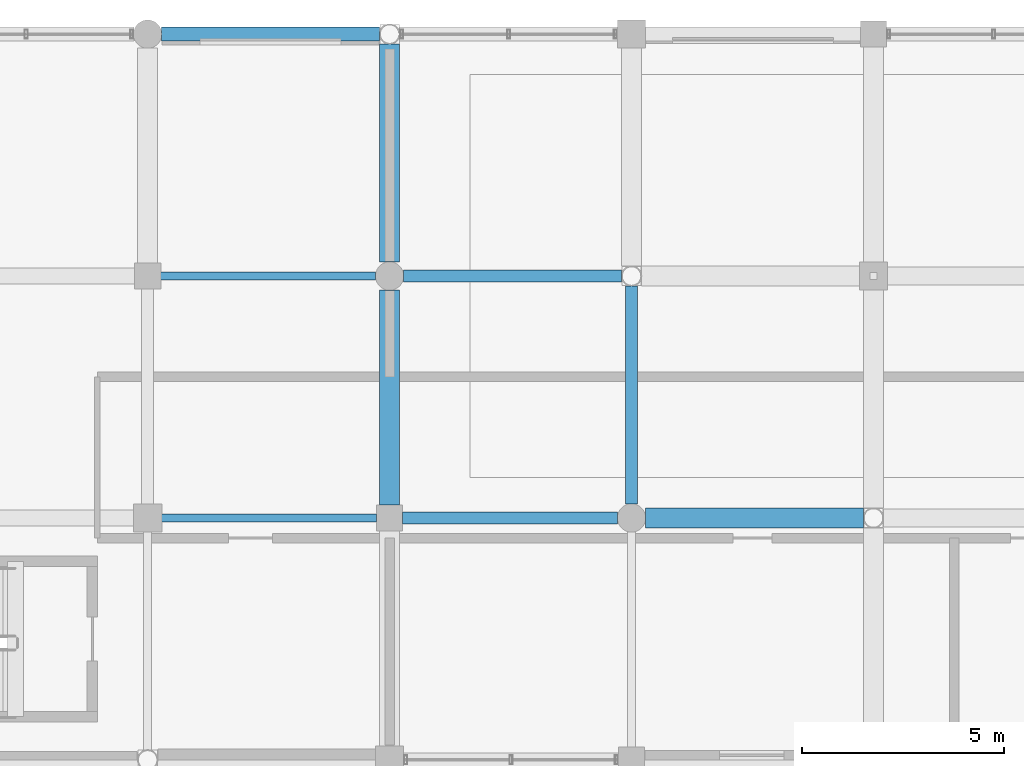
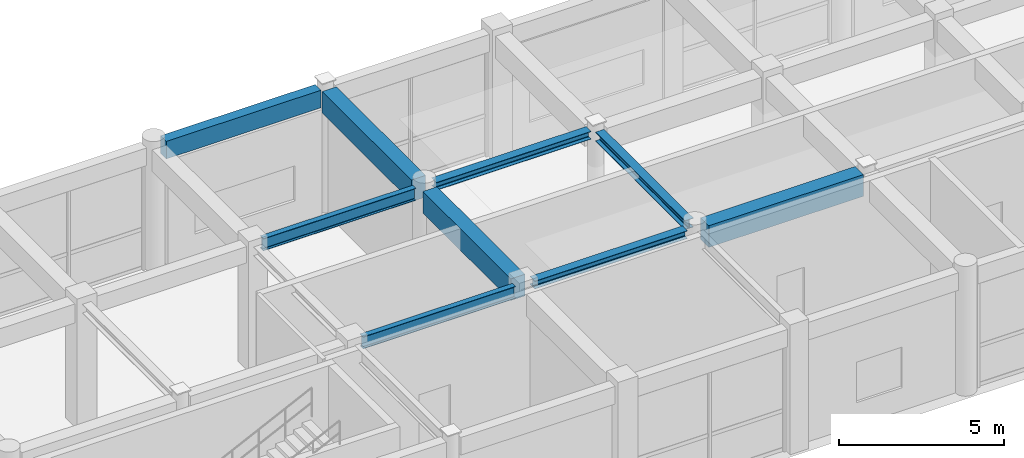
# One storey, part 48 of 112: 9 beams.
"""IFC4 building model written with IfcOpenShell, lengths in metres."""

import ifcopenshell
import ifcopenshell.guid

model = None  # the IFC model being written
_history = None  # IfcOwnerHistory: only IFC2X3 demands one
_inside = {}  # id of a spatial element -> (the spatial element, [elements in it])
_under = {}  # id of a project, library or spatial element -> (it, [spatial elements below it])
_declared = {}  # id of a project -> (the project, [libraries it declares])
_typed = {}  # id of a type object -> (the type object, [elements of that type])
_made_of = {}  # id of a material, layer set ... -> (it, [elements and type objects made of it])


def new_model(schema):
    """Start an empty IFC model of exactly this schema.

    Asked for "IFC4X3", IfcOpenShell would pick the latest addendum, in which some entities
    have other attributes; the version numbers below select the first issue.
    IFC2X3 requires an IfcOwnerHistory on every rooted entity: one is made here for all.
    """
    global model, _history
    if schema == "IFC4X3":
        model = ifcopenshell.file(schema_version=(4, 3, 0, 0))
    else:
        model = ifcopenshell.file(schema=schema)
    _inside.clear()
    _under.clear()
    _declared.clear()
    _typed.clear()
    _made_of.clear()
    _history = None
    if model.schema == "IFC2X3":
        org = make("IfcOrganization", Name="unknown")
        user = make(
            "IfcPersonAndOrganization",
            ThePerson=make("IfcPerson", FamilyName="unknown"),
            TheOrganization=org,
        )
        app = make(
            "IfcApplication",
            ApplicationDeveloper=org,
            Version="unknown",
            ApplicationFullName="unknown",
            ApplicationIdentifier="unknown",
        )
        _history = make(
            "IfcOwnerHistory",
            OwningUser=user,
            OwningApplication=app,
            ChangeAction="ADDED",
            CreationDate=0,
        )
    return model


def make(cls, **values):
    """One entity of the class cls with the attributes given. An attribute that is None is left unset."""
    return model.create_entity(
        cls, **{name: value for name, value in values.items() if value is not None}
    )


def rooted(cls, **values):
    """An entity with a GlobalId (a new one), such as an element, a storey or a relation."""
    return make(cls, GlobalId=ifcopenshell.guid.new(), OwnerHistory=_history, **values)


def si_unit(unit_type, name, prefix=None):
    """IfcSIUnit, for example si_unit("LENGTHUNIT", "METRE", prefix="MILLI")."""
    return make("IfcSIUnit", UnitType=unit_type, Prefix=prefix, Name=name)


def assignment(units):
    """IfcUnitAssignment: the units of a project."""
    return None if units is None else make("IfcUnitAssignment", Units=units)


def point(xyz):
    """IfcCartesianPoint."""
    return None if xyz is None else make("IfcCartesianPoint", Coordinates=xyz)


def direction(xyz):
    """IfcDirection."""
    return None if xyz is None else make("IfcDirection", DirectionRatios=xyz)


def frame(location, z_axis=None, x_axis=None):
    """IfcAxis2Placement3D, a coordinate frame: its origin and axes. An axis left out is left unset."""
    return make(
        "IfcAxis2Placement3D",
        Location=point(location),
        Axis=direction(z_axis),
        RefDirection=direction(x_axis),
    )


def frame_2d(location, x_axis=None):
    """IfcAxis2Placement2D, a coordinate frame in the plane: its origin and x axis."""
    return make(
        "IfcAxis2Placement2D", Location=point(location), RefDirection=direction(x_axis)
    )


def origin():
    """The frame at (0, 0, 0) with its axes left unset."""
    return frame((0.0, 0.0, 0.0))


def origin_2d():
    """The frame at (0, 0) in the plane with its x axis left unset."""
    return frame_2d((0.0, 0.0))


def place(relative_to, where):
    """IfcLocalPlacement: puts the frame where relative to a parent placement (None: the world)."""
    return make(
        "IfcLocalPlacement", PlacementRelTo=relative_to, RelativePlacement=where
    )


def context(
    kind, dimensions, precision=None, world=None, true_north=None, identifier=None
):
    """IfcGeometricRepresentationContext, for example the 3D "Model" context."""
    return make(
        "IfcGeometricRepresentationContext",
        ContextIdentifier=identifier,
        ContextType=kind,
        CoordinateSpaceDimension=dimensions,
        Precision=precision,
        WorldCoordinateSystem=world,
        TrueNorth=true_north,
    )


def subcontext(parent, identifier, kind, view, scale=None):
    """IfcGeometricRepresentationSubContext, for example "Body" below "Model"."""
    return make(
        "IfcGeometricRepresentationSubContext",
        ContextIdentifier=identifier,
        ContextType=kind,
        ParentContext=parent,
        TargetScale=scale,
        TargetView=view,
    )


def project(units=None, contexts=None):
    """IfcProject with its units and contexts."""
    return rooted(
        "IfcProject",
        Name="project",
        RepresentationContexts=contexts,
        UnitsInContext=assignment(units),
    )


def spatial(cls, under=None, at=None, **own):
    """A site, building, storey or space (cls), placed at a placement, below another one or the project."""
    s = rooted(cls, ObjectPlacement=at, **own)
    if under is not None:
        _under.setdefault(under.id(), (under, []))[1].append(s)
    return s


def profile(cls, at=None, kind="AREA", **sizes):
    """A parametric profile (cls). Its sizes go by their IFC names, for example OverallWidth=200.0."""
    return make(cls, ProfileType=kind, Position=at, **sizes)


def rectangle(**sizes):
    """IfcRectangleProfileDef."""
    return profile("IfcRectangleProfileDef", **sizes)


def i_section(**sizes):
    """IfcIShapeProfileDef."""
    return profile("IfcIShapeProfileDef", **sizes)


def extrude(swept, where, along, depth):
    """IfcExtrudedAreaSolid: the profile swept, set in the frame where, extruded along a direction by depth."""
    return make(
        "IfcExtrudedAreaSolid",
        SweptArea=swept,
        Position=where,
        ExtrudedDirection=direction(along),
        Depth=depth,
    )


def shape(context_of_items, identifier, shape_type, items):
    """IfcShapeRepresentation: the items that make up one representation, for example the "Body"."""
    return make(
        "IfcShapeRepresentation",
        ContextOfItems=context_of_items,
        RepresentationIdentifier=identifier,
        RepresentationType=shape_type,
        Items=items,
    )


def material(Name=None, Category=None):
    """IfcMaterial."""
    return make("IfcMaterial", Name=Name, Category=Category)


def material_profile(
    of_material, cross_section, Name=None, Category=None, Priority=None
):
    """IfcMaterialProfile: a cross section and its material."""
    return make(
        "IfcMaterialProfile",
        Name=Name,
        Material=of_material,
        Profile=cross_section,
        Priority=Priority,
        Category=Category,
    )


def profile_set(profiles, Name=None, composite=None):
    """IfcMaterialProfileSet."""
    return make(
        "IfcMaterialProfileSet",
        Name=Name,
        MaterialProfiles=profiles,
        CompositeProfile=composite,
    )


def made_of(thing, what):
    """Note that an element or type object is made of a material, layer set ...; save() writes the relation."""
    if what is not None:
        _made_of.setdefault(what.id(), (what, []))[1].append(thing)
    return thing


def type_object(cls, material=None, **own):
    """A type object (cls), such as IfcWallType, which elements share."""
    return made_of(rooted(cls, **own), material)


def element(
    cls,
    number,
    at=None,
    inside=None,
    cuts=None,
    type_object=None,
    material=None,
    context=None,
    identifier="Body",
    shape_type=None,
    held_by="IfcProductDefinitionShape",
    body=None,
    shapes=None,
    **own,
):
    """One element of the class cls, such as IfcWall. Its Tag is "e" and its number.

    at: its placement. inside: the storey or other place that contains it. cuts: it is an
    opening in that element (IfcRelVoidsElement). A single representation is given by context,
    identifier, shape_type and body (its items); several are given by shapes. held_by: the class
    of the entity that holds the representations. save() writes the other relations.
    """
    e = rooted(cls, Tag="e%d" % number, ObjectPlacement=at, **own)
    if body is not None:
        shapes = [shape(context, identifier, shape_type, body)]
    if shapes is not None:
        e.Representation = make(held_by, Representations=shapes)
    if inside is not None:
        _inside.setdefault(inside.id(), (inside, []))[1].append(e)
    if cuts is not None:
        rooted(
            "IfcRelVoidsElement", RelatingBuildingElement=cuts, RelatedOpeningElement=e
        )
    if type_object is not None:
        _typed.setdefault(type_object.id(), (type_object, []))[1].append(e)
    return made_of(e, material)


def aggregate(whole, parts):
    """IfcRelAggregates: a whole, such as a stair, and the parts it consists of."""
    return rooted("IfcRelAggregates", RelatingObject=whole, RelatedObjects=parts)


def save(model, path):
    """Write the relations noted so far, then the file.

    IfcRelAggregates (storeys below a building ...), IfcRelContainedInSpatialStructure (elements
    in a storey), IfcRelDefinesByType, IfcRelAssociatesMaterial and IfcRelDeclares: one each for
    every whole, place, type object, material and project.
    """
    for whole, parts in _under.values():
        aggregate(whole, parts)
    for where, things in _inside.values():
        rooted(
            "IfcRelContainedInSpatialStructure",
            RelatedElements=things,
            RelatingStructure=where,
        )
    for kind, things in _typed.values():
        rooted("IfcRelDefinesByType", RelatedObjects=things, RelatingType=kind)
    for what, things in _made_of.values():
        rooted("IfcRelAssociatesMaterial", RelatedObjects=things, RelatingMaterial=what)
    for by, libraries in _declared.values():
        rooted("IfcRelDeclares", RelatingContext=by, RelatedDefinitions=libraries)
    model.write(path)


model = new_model("IFC4")

# Units and contexts
model_context = context("Model", 3, precision=1e-05, world=origin(), true_north=direction((0.0, 1.0)))
body_context = subcontext(model_context, "Body", "Model", "MODEL_VIEW")
ifc_project = project(units=[si_unit("LENGTHUNIT", "METRE"), si_unit("AREAUNIT", "SQUARE_METRE"), si_unit("VOLUMEUNIT", "CUBIC_METRE"), si_unit("PLANEANGLEUNIT", "RADIAN"), si_unit("MASSUNIT", "GRAM", prefix="KILO"), si_unit("THERMODYNAMICTEMPERATUREUNIT", "KELVIN"), si_unit("POWERUNIT", "WATT")], contexts=[model_context])

# Site, building, storey
site_placement = place(None, origin())
site = spatial("IfcSite", under=ifc_project, at=site_placement, CompositionType="ELEMENT")
building_placement = place(site_placement, origin())
building = spatial("IfcBuilding", under=site, at=building_placement, Name="Phaisarnlok Congress Hotel", CompositionType="ELEMENT")
storey_placement = place(building_placement, frame((0.0, 0.0, 19.800048828125)))
storey = spatial("IfcBuildingStorey", under=building, at=storey_placement, Name="L04", CompositionType="ELEMENT", Elevation=19.800048828125)

# Beams
ifc_material_1 = material(Name="Concrete C40/50", Category="concrete")
ifc_material_profile_1 = material_profile(ifc_material_1, rectangle(XDim=0.5, YDim=0.800048828125, at=origin_2d()), Name="RC 500x800")
ifc_profile_set_1 = profile_set([ifc_material_profile_1], Name="Concrete C40/50")
beam_type_1 = type_object("IfcBeamType", Name="BM-RC-500x800", PredefinedType="BEAM", material=ifc_profile_set_1)
beam_1_placement = place(storey_placement, frame((84.0, 114.320068359375, 4.14990234375), z_axis=(0.0, 1.0, 0.0), x_axis=(-1.0, 0.0, 0.0)))
element("IfcBeam", 1, at=beam_1_placement, inside=storey, type_object=beam_type_1, Name="Beam B-04", PredefinedType="BEAM", context=body_context, shape_type="SweptSolid", body=[
    extrude(rectangle(XDim=0.5, YDim=0.800048828125, at=origin_2d()), origin(), (0.0, 0.0, 1.0), 5.3349609375),
])
for number, where, z_axis, x_axis, name in (
    (2, (84.0, 120.344970703125, 4.14990234375), (0.0, 1.0, 0.0), (-1.0, 0.0, 0.0), "Beam B-04"),
    (3, (90.344970703125, 114.0, 4.14990234375), (1.0, 0.0, 0.0), (0.0, 1.0, 0.0), "Beam B-04"),
):
    element("IfcBeam", number, at=place(storey_placement, frame(where, z_axis=z_axis, x_axis=x_axis)), inside=storey, type_object=beam_type_1, Name=name, PredefinedType="BEAM", context=body_context, shape_type="SweptSolid", body=[
        extrude(rectangle(XDim=0.5, YDim=0.800048828125, at=origin_2d()), origin(), (0.0, 0.0, 1.0), 5.406005859375),
    ])
ifc_material_2 = material(Name="Steel S355", Category="steel")
ifc_material_profile_2 = material_profile(ifc_material_2, i_section(OverallWidth=0.300048828125, OverallDepth=0.2900390625, WebThickness=0.008544921875, FlangeThickness=0.013916015625, FilletRadius=0.027099609375, at=origin_2d()), Name="HEA 300")
ifc_profile_set_2 = profile_set([ifc_material_profile_2], Name="Steel S355")
beam_type_2 = type_object("IfcBeamType", Name="BM-STL-HEA300", PredefinedType="BEAM", material=ifc_profile_set_2)
beam_2_placement = place(storey_placement, frame((84.320068359375, 114.0, 4.405029296875), z_axis=(1.0, 0.0, 0.0), x_axis=(0.0, 1.0, 0.0)))
element("IfcBeam", 4, at=beam_2_placement, inside=storey, type_object=beam_type_2, Name="Beam SB-05", PredefinedType="BEAM", context=body_context, shape_type="SweptSolid", body=[
    extrude(i_section(OverallWidth=0.300048828125, OverallDepth=0.2900390625, WebThickness=0.008544921875, FlangeThickness=0.013916015625, FilletRadius=0.027099609375, at=origin_2d()), origin(), (0.0, 0.0, 1.0), 5.3349609375),
])
beam_3_placement = place(storey_placement, frame((84.344970703125, 120.0, 4.405029296875), z_axis=(1.0, 0.0, 0.0), x_axis=(0.0, 1.0, 0.0)))
element("IfcBeam", 5, at=beam_3_placement, inside=storey, type_object=beam_type_2, Name="Beam SB-05", PredefinedType="BEAM", context=body_context, shape_type="SweptSolid", body=[
    extrude(i_section(OverallWidth=0.300048828125, OverallDepth=0.2900390625, WebThickness=0.008544921875, FlangeThickness=0.013916015625, FilletRadius=0.027099609375, at=origin_2d()), origin(), (0.0, 0.0, 1.0), 5.406005859375),
])
ifc_material_profile_3 = material_profile(ifc_material_2, i_section(OverallWidth=0.300048828125, OverallDepth=0.340087890625, WebThickness=0.011962890625, FlangeThickness=0.021484375, FilletRadius=0.027099609375, at=origin_2d()), Name="HEB 340")
ifc_profile_set_3 = profile_set([ifc_material_profile_3], Name="Steel S355")
beam_type_3 = type_object("IfcBeamType", Name="BM-STL-HEB340", PredefinedType="BEAM", material=ifc_profile_set_3)
beam_4_placement = place(storey_placement, frame((90.0, 114.344970703125, 4.3798828125), z_axis=(0.0, 1.0, 0.0), x_axis=(-1.0, 0.0, 0.0)))
element("IfcBeam", 6, at=beam_4_placement, inside=storey, type_object=beam_type_3, Name="Beam SB-07", PredefinedType="BEAM", context=body_context, shape_type="SweptSolid", body=[
    extrude(i_section(OverallWidth=0.300048828125, OverallDepth=0.340087890625, WebThickness=0.011962890625, FlangeThickness=0.021484375, FilletRadius=0.027099609375, at=origin_2d()), origin(), (0.0, 0.0, 1.0), 5.406005859375),
])
ifc_material_profile_4 = material_profile(ifc_material_2, i_section(OverallWidth=0.18994140625, OverallDepth=0.449951171875, WebThickness=0.009521484375, FlangeThickness=0.0146484375, FilletRadius=0.02099609375, at=origin_2d()), Name="IPE 450")
ifc_profile_set_4 = profile_set([ifc_material_profile_4], Name="Steel S355")
beam_type_4 = type_object("IfcBeamType", Name="BM-STL-IPE450", PredefinedType="BEAM", material=ifc_profile_set_4)
for number, where, z_axis, x_axis, name in (
    (7, (78.344970703125, 114.0, 4.324951171875), (1.0, 0.0, 0.0), (0.0, 1.0, 0.0), "Beam SB-01"),
    (8, (78.320068359375, 120.0, 4.324951171875), (1.0, 0.0, 0.0), (0.0, 1.0, 0.0), "Beam SB-01"),
):
    element("IfcBeam", number, at=place(storey_placement, frame(where, z_axis=z_axis, x_axis=x_axis)), inside=storey, type_object=beam_type_4, Name=name, PredefinedType="BEAM", context=body_context, shape_type="SweptSolid", body=[
        extrude(i_section(OverallWidth=0.18994140625, OverallDepth=0.449951171875, WebThickness=0.009521484375, FlangeThickness=0.0146484375, FilletRadius=0.02099609375, at=origin_2d()), origin(), (0.0, 0.0, 1.0), 5.3349609375),
    ])
ifc_material_profile_5 = material_profile(ifc_material_1, rectangle(XDim=0.35009765625, YDim=0.64990234375, at=origin_2d()), Name="RC 350x650")
ifc_profile_set_5 = profile_set([ifc_material_profile_5], Name="Concrete C40/50")
beam_type_5 = type_object("IfcBeamType", Name="SP-RC-350x650", PredefinedType="SPANDREL", material=ifc_profile_set_5)
beam_5_placement = place(storey_placement, frame((78.344970703125, 126.0, 4.224853515625), z_axis=(1.0, 0.0, 0.0), x_axis=(0.0, 1.0, 0.0)))
element("IfcBeam", 9, at=beam_5_placement, inside=storey, type_object=beam_type_5, Name="Beam SP-01", PredefinedType="SPANDREL", context=body_context, shape_type="SweptSolid", body=[
    extrude(rectangle(XDim=0.35009765625, YDim=0.64990234375, at=origin_2d()), origin(), (0.0, 0.0, 1.0), 5.406005859375),
])

save(model, "model.ifc")
